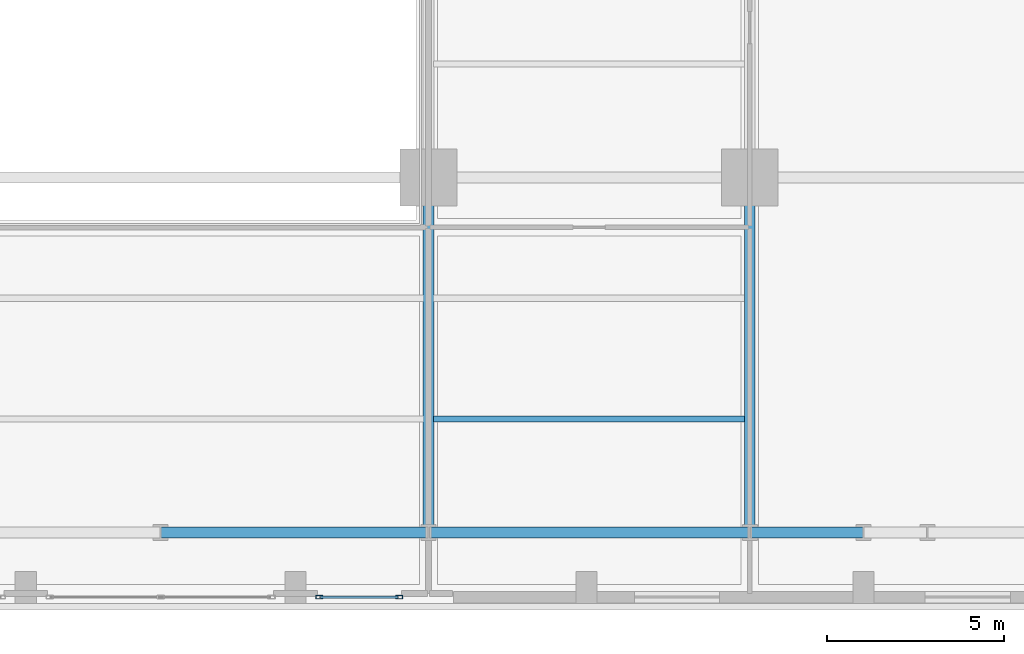
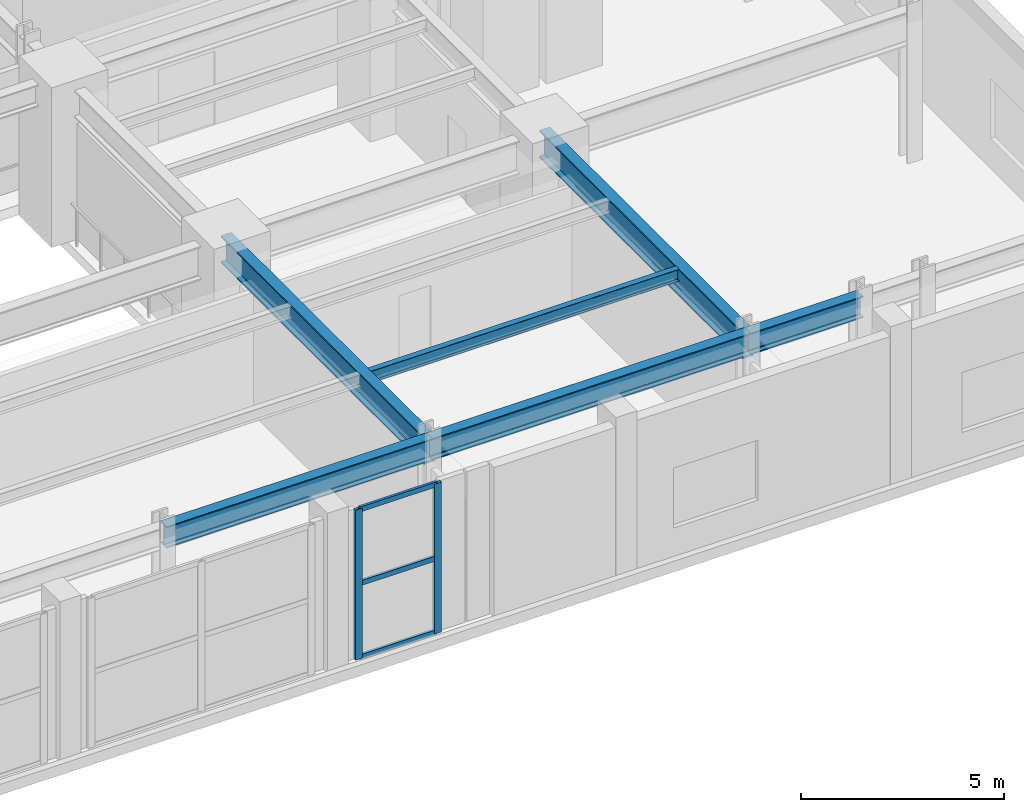
# One storey, part 4 of 16: 6 beams, 5 members, 1 element without a shape of its own.
"""IFC4 building model written with IfcOpenShell, lengths in metres."""

import ifcopenshell
import ifcopenshell.guid

model = None  # the IFC model being written
_history = None  # IfcOwnerHistory: only IFC2X3 demands one
_inside = {}  # id of a spatial element -> (the spatial element, [elements in it])
_under = {}  # id of a project, library or spatial element -> (it, [spatial elements below it])
_declared = {}  # id of a project -> (the project, [libraries it declares])
_typed = {}  # id of a type object -> (the type object, [elements of that type])
_made_of = {}  # id of a material, layer set ... -> (it, [elements and type objects made of it])


def new_model(schema):
    """Start an empty IFC model of exactly this schema.

    Asked for "IFC4X3", IfcOpenShell would pick the latest addendum, in which some entities
    have other attributes; the version numbers below select the first issue.
    IFC2X3 requires an IfcOwnerHistory on every rooted entity: one is made here for all.
    """
    global model, _history
    if schema == "IFC4X3":
        model = ifcopenshell.file(schema_version=(4, 3, 0, 0))
    else:
        model = ifcopenshell.file(schema=schema)
    _inside.clear()
    _under.clear()
    _declared.clear()
    _typed.clear()
    _made_of.clear()
    _history = None
    if model.schema == "IFC2X3":
        org = make("IfcOrganization", Name="unknown")
        user = make(
            "IfcPersonAndOrganization",
            ThePerson=make("IfcPerson", FamilyName="unknown"),
            TheOrganization=org,
        )
        app = make(
            "IfcApplication",
            ApplicationDeveloper=org,
            Version="unknown",
            ApplicationFullName="unknown",
            ApplicationIdentifier="unknown",
        )
        _history = make(
            "IfcOwnerHistory",
            OwningUser=user,
            OwningApplication=app,
            ChangeAction="ADDED",
            CreationDate=0,
        )
    return model


def make(cls, **values):
    """One entity of the class cls with the attributes given. An attribute that is None is left unset."""
    return model.create_entity(
        cls, **{name: value for name, value in values.items() if value is not None}
    )


def rooted(cls, **values):
    """An entity with a GlobalId (a new one), such as an element, a storey or a relation."""
    return make(cls, GlobalId=ifcopenshell.guid.new(), OwnerHistory=_history, **values)


def si_unit(unit_type, name, prefix=None):
    """IfcSIUnit, for example si_unit("LENGTHUNIT", "METRE", prefix="MILLI")."""
    return make("IfcSIUnit", UnitType=unit_type, Prefix=prefix, Name=name)


def assignment(units):
    """IfcUnitAssignment: the units of a project."""
    return None if units is None else make("IfcUnitAssignment", Units=units)


def point(xyz):
    """IfcCartesianPoint."""
    return None if xyz is None else make("IfcCartesianPoint", Coordinates=xyz)


def direction(xyz):
    """IfcDirection."""
    return None if xyz is None else make("IfcDirection", DirectionRatios=xyz)


def frame(location, z_axis=None, x_axis=None):
    """IfcAxis2Placement3D, a coordinate frame: its origin and axes. An axis left out is left unset."""
    return make(
        "IfcAxis2Placement3D",
        Location=point(location),
        Axis=direction(z_axis),
        RefDirection=direction(x_axis),
    )


def frame_2d(location, x_axis=None):
    """IfcAxis2Placement2D, a coordinate frame in the plane: its origin and x axis."""
    return make(
        "IfcAxis2Placement2D", Location=point(location), RefDirection=direction(x_axis)
    )


def origin():
    """The frame at (0, 0, 0) with its axes left unset."""
    return frame((0.0, 0.0, 0.0))


def origin_2d():
    """The frame at (0, 0) in the plane with its x axis left unset."""
    return frame_2d((0.0, 0.0))


def place(relative_to, where):
    """IfcLocalPlacement: puts the frame where relative to a parent placement (None: the world)."""
    return make(
        "IfcLocalPlacement", PlacementRelTo=relative_to, RelativePlacement=where
    )


def context(
    kind, dimensions, precision=None, world=None, true_north=None, identifier=None
):
    """IfcGeometricRepresentationContext, for example the 3D "Model" context."""
    return make(
        "IfcGeometricRepresentationContext",
        ContextIdentifier=identifier,
        ContextType=kind,
        CoordinateSpaceDimension=dimensions,
        Precision=precision,
        WorldCoordinateSystem=world,
        TrueNorth=true_north,
    )


def subcontext(parent, identifier, kind, view, scale=None):
    """IfcGeometricRepresentationSubContext, for example "Body" below "Model"."""
    return make(
        "IfcGeometricRepresentationSubContext",
        ContextIdentifier=identifier,
        ContextType=kind,
        ParentContext=parent,
        TargetScale=scale,
        TargetView=view,
    )


def project(units=None, contexts=None):
    """IfcProject with its units and contexts."""
    return rooted(
        "IfcProject",
        Name="project",
        RepresentationContexts=contexts,
        UnitsInContext=assignment(units),
    )


def spatial(cls, under=None, at=None, **own):
    """A site, building, storey or space (cls), placed at a placement, below another one or the project."""
    s = rooted(cls, ObjectPlacement=at, **own)
    if under is not None:
        _under.setdefault(under.id(), (under, []))[1].append(s)
    return s


def profile(cls, at=None, kind="AREA", **sizes):
    """A parametric profile (cls). Its sizes go by their IFC names, for example OverallWidth=200.0."""
    return make(cls, ProfileType=kind, Position=at, **sizes)


def hollow_rectangle(**sizes):
    """IfcRectangleHollowProfileDef."""
    return profile("IfcRectangleHollowProfileDef", **sizes)


def i_section(**sizes):
    """IfcIShapeProfileDef."""
    return profile("IfcIShapeProfileDef", **sizes)


def extrude(swept, where, along, depth):
    """IfcExtrudedAreaSolid: the profile swept, set in the frame where, extruded along a direction by depth."""
    return make(
        "IfcExtrudedAreaSolid",
        SweptArea=swept,
        Position=where,
        ExtrudedDirection=direction(along),
        Depth=depth,
    )


def shape(context_of_items, identifier, shape_type, items):
    """IfcShapeRepresentation: the items that make up one representation, for example the "Body"."""
    return make(
        "IfcShapeRepresentation",
        ContextOfItems=context_of_items,
        RepresentationIdentifier=identifier,
        RepresentationType=shape_type,
        Items=items,
    )


def material(Name=None, Category=None):
    """IfcMaterial."""
    return make("IfcMaterial", Name=Name, Category=Category)


def layer(
    of_material, thickness, ventilated=None, Name=None, Category=None, Priority=None
):
    """IfcMaterialLayer: one layer of a wall or slab, of a material (None: an air gap)."""
    return make(
        "IfcMaterialLayer",
        Material=of_material,
        LayerThickness=thickness,
        IsVentilated=ventilated,
        Name=Name,
        Category=Category,
        Priority=Priority,
    )


def layer_set(layers, Name=None):
    """IfcMaterialLayerSet."""
    return make("IfcMaterialLayerSet", MaterialLayers=layers, LayerSetName=Name)


def material_profile(
    of_material, cross_section, Name=None, Category=None, Priority=None
):
    """IfcMaterialProfile: a cross section and its material."""
    return make(
        "IfcMaterialProfile",
        Name=Name,
        Material=of_material,
        Profile=cross_section,
        Priority=Priority,
        Category=Category,
    )


def profile_set(profiles, Name=None, composite=None):
    """IfcMaterialProfileSet."""
    return make(
        "IfcMaterialProfileSet",
        Name=Name,
        MaterialProfiles=profiles,
        CompositeProfile=composite,
    )


def made_of(thing, what):
    """Note that an element or type object is made of a material, layer set ...; save() writes the relation."""
    if what is not None:
        _made_of.setdefault(what.id(), (what, []))[1].append(thing)
    return thing


def type_object(cls, material=None, **own):
    """A type object (cls), such as IfcWallType, which elements share."""
    return made_of(rooted(cls, **own), material)


def element(
    cls,
    number,
    at=None,
    inside=None,
    cuts=None,
    type_object=None,
    material=None,
    context=None,
    identifier="Body",
    shape_type=None,
    held_by="IfcProductDefinitionShape",
    body=None,
    shapes=None,
    **own,
):
    """One element of the class cls, such as IfcWall. Its Tag is "e" and its number.

    at: its placement. inside: the storey or other place that contains it. cuts: it is an
    opening in that element (IfcRelVoidsElement). A single representation is given by context,
    identifier, shape_type and body (its items); several are given by shapes. held_by: the class
    of the entity that holds the representations. save() writes the other relations.
    """
    e = rooted(cls, Tag="e%d" % number, ObjectPlacement=at, **own)
    if body is not None:
        shapes = [shape(context, identifier, shape_type, body)]
    if shapes is not None:
        e.Representation = make(held_by, Representations=shapes)
    if inside is not None:
        _inside.setdefault(inside.id(), (inside, []))[1].append(e)
    if cuts is not None:
        rooted(
            "IfcRelVoidsElement", RelatingBuildingElement=cuts, RelatedOpeningElement=e
        )
    if type_object is not None:
        _typed.setdefault(type_object.id(), (type_object, []))[1].append(e)
    return made_of(e, material)


def aggregate(whole, parts):
    """IfcRelAggregates: a whole, such as a stair, and the parts it consists of."""
    return rooted("IfcRelAggregates", RelatingObject=whole, RelatedObjects=parts)


def save(model, path):
    """Write the relations noted so far, then the file.

    IfcRelAggregates (storeys below a building ...), IfcRelContainedInSpatialStructure (elements
    in a storey), IfcRelDefinesByType, IfcRelAssociatesMaterial and IfcRelDeclares: one each for
    every whole, place, type object, material and project.
    """
    for whole, parts in _under.values():
        aggregate(whole, parts)
    for where, things in _inside.values():
        rooted(
            "IfcRelContainedInSpatialStructure",
            RelatedElements=things,
            RelatingStructure=where,
        )
    for kind, things in _typed.values():
        rooted("IfcRelDefinesByType", RelatedObjects=things, RelatingType=kind)
    for what, things in _made_of.values():
        rooted("IfcRelAssociatesMaterial", RelatedObjects=things, RelatingMaterial=what)
    for by, libraries in _declared.values():
        rooted("IfcRelDeclares", RelatingContext=by, RelatedDefinitions=libraries)
    model.write(path)


model = new_model("IFC4")

# Units and contexts
model_context = context("Model", 3, precision=1e-05, world=origin(), true_north=direction((0.0, 1.0)))
body_context = subcontext(model_context, "Body", "Model", "MODEL_VIEW")
ifc_project = project(units=[si_unit("LENGTHUNIT", "METRE"), si_unit("AREAUNIT", "SQUARE_METRE"), si_unit("VOLUMEUNIT", "CUBIC_METRE"), si_unit("PLANEANGLEUNIT", "RADIAN"), si_unit("MASSUNIT", "GRAM", prefix="KILO")], contexts=[model_context])

# Site, building, storey
site_placement = place(None, origin())
site = spatial("IfcSite", under=ifc_project, at=site_placement, CompositionType="ELEMENT")
building_placement = place(site_placement, origin())
building = spatial("IfcBuilding", under=site, at=building_placement, Name="Zarnavel Station Tower", CompositionType="ELEMENT")
storey_placement = place(building_placement, frame((0.0, 0.0, 19.39990234375)))
storey = spatial("IfcBuildingStorey", under=building, at=storey_placement, Name="L05", CompositionType="ELEMENT", Elevation=19.39990234375)

# Curtain wall, members
ifc_material_1 = material(Name="Aluminium Dark Anodised and Solar-Control Glass", Category="aluminium")
ifc_layer = layer(ifc_material_1, 0.179931640625)
ifc_layer_set = layer_set([ifc_layer], Name="CWS1")
curtain_wall_type = type_object("IfcCurtainWallType", Name="CWS1", PredefinedType="NOTDEFINED", material=ifc_layer_set)
curtain_wall_placement = place(storey_placement, origin())
curtain_wall = element("IfcCurtainWall", 1, at=curtain_wall_placement, inside=storey, type_object=curtain_wall_type, Name="L05 Curtain Wall CWS1-L05-S-S3", PredefinedType="NOTDEFINED")
ifc_material_2 = material(Name="Steel S355J2 (Black Fluoropolymer Coated)", Category="steel")
ifc_material_profile_1 = material_profile(ifc_material_2, hollow_rectangle(XDim=0.10009765625, YDim=0.199951171875, WallThickness=0.008056640625, at=origin_2d()), Name="RHS200x100x8")
ifc_profile_set_1 = profile_set([ifc_material_profile_1], Name="Steel S355J2 (Black Fluoropolymer Coated)")
member_type_1 = type_object("IfcMemberType", Name="CWS1_MUL", PredefinedType="MULLION", material=ifc_profile_set_1)
member_1_placement = place(storey_placement, frame((33.27392578125, 3.780029296875, 0.0), z_axis=(0.0, 0.0, 1.0), x_axis=(0.0, 1.0, 0.0)))
member_1 = element("IfcMember", 2, at=member_1_placement, type_object=member_type_1, Name="CW1 mullion 1", PredefinedType="MULLION", context=body_context, shape_type="SweptSolid", body=[
    extrude(hollow_rectangle(XDim=0.10009765625, YDim=0.199951171875, WallThickness=0.008056640625, at=origin_2d()), origin(), (0.0, 0.0, 1.0), 4.5),
])
member_2_placement = place(storey_placement, frame((35.52001953125, 3.780029296875, 0.0), z_axis=(0.0, 0.0, 1.0), x_axis=(0.0, 1.0, 0.0)))
member_2 = element("IfcMember", 3, at=member_2_placement, type_object=member_type_1, Name="CW1 mullion 2", PredefinedType="MULLION", context=body_context, shape_type="SweptSolid", body=[
    extrude(hollow_rectangle(XDim=0.10009765625, YDim=0.199951171875, WallThickness=0.008056640625, at=origin_2d()), origin(), (0.0, 0.0, 1.0), 4.5),
])
ifc_material_3 = material(Name="Steel S355J2 (Black Fluoropolymer Coated)", Category="steel")
ifc_material_profile_2 = material_profile(ifc_material_3, hollow_rectangle(XDim=0.074951171875, YDim=0.14990234375, WallThickness=0.00634765625, at=origin_2d()), Name="RHS150x75x6.3")
ifc_profile_set_2 = profile_set([ifc_material_profile_2], Name="Steel S355J2 (Black Fluoropolymer Coated)")
member_type_2 = type_object("IfcMemberType", Name="CWS1_TRN", PredefinedType="USERDEFINED", material=ifc_profile_set_2)
member_3_placement = place(storey_placement, frame((33.303955078125, 3.780029296875, 0.030029296875), z_axis=(1.0, 0.0, 0.0), x_axis=(0.0, 1.0, 0.0)))
member_3 = element("IfcMember", 4, at=member_3_placement, type_object=member_type_2, Name="CW1 transom 1.1", ObjectType="TRANSOM", PredefinedType="USERDEFINED", context=body_context, shape_type="SweptSolid", body=[
    extrude(hollow_rectangle(XDim=0.074951171875, YDim=0.14990234375, WallThickness=0.00634765625, at=origin_2d()), origin(), (0.0, 0.0, 1.0), 2.18603515625),
])
member_4_placement = place(storey_placement, frame((33.303955078125, 3.780029296875, 2.25), z_axis=(1.0, 0.0, 0.0), x_axis=(0.0, 1.0, 0.0)))
member_4 = element("IfcMember", 5, at=member_4_placement, type_object=member_type_2, Name="CW1 transom 1.2", ObjectType="TRANSOM", PredefinedType="USERDEFINED", context=body_context, shape_type="SweptSolid", body=[
    extrude(hollow_rectangle(XDim=0.074951171875, YDim=0.14990234375, WallThickness=0.00634765625, at=origin_2d()), origin(), (0.0, 0.0, 1.0), 2.18603515625),
])
member_5_placement = place(storey_placement, frame((33.303955078125, 3.780029296875, 4.47021484375), z_axis=(1.0, 0.0, 0.0), x_axis=(0.0, 1.0, 0.0)))
member_5 = element("IfcMember", 6, at=member_5_placement, type_object=member_type_2, Name="CW1 transom 1.3", ObjectType="TRANSOM", PredefinedType="USERDEFINED", context=body_context, shape_type="SweptSolid", body=[
    extrude(hollow_rectangle(XDim=0.074951171875, YDim=0.14990234375, WallThickness=0.00634765625, at=origin_2d()), origin(), (0.0, 0.0, 1.0), 2.18603515625),
])
aggregate(curtain_wall, [member_1, member_2, member_3, member_4, member_5])

# Beams
ifc_material_4 = material(Name="Steel S355J2", Category="steel")
ifc_material_profile_3 = material_profile(ifc_material_4, i_section(OverallWidth=0.300048828125, OverallDepth=0.64990234375, WebThickness=0.01611328125, FlangeThickness=0.031005859375, FilletRadius=0.027099609375, at=origin_2d()), Name="HEB650")
ifc_profile_set_3 = profile_set([ifc_material_profile_3], Name="Steel S355J2")
beam_type_1 = type_object("IfcBeamType", Name="FG_HEB650", PredefinedType="USERDEFINED", material=ifc_profile_set_3)
beam_1_placement = place(storey_placement, frame((28.800048828125, 5.60009765625, 4.175048828125), z_axis=(1.0, 0.0, 0.0), x_axis=(0.0, 1.0, 0.0)))
element("IfcBeam", 7, at=beam_1_placement, inside=storey, type_object=beam_type_1, Name="L05 EW Frame Girder 1-6", ObjectType="GIRDER", PredefinedType="USERDEFINED", context=body_context, shape_type="SweptSolid", body=[
    extrude(i_section(OverallWidth=0.300048828125, OverallDepth=0.64990234375, WebThickness=0.01611328125, FlangeThickness=0.031005859375, FilletRadius=0.027099609375, at=origin_2d()), origin(), (0.0, 0.0, 1.0), 7.550048828125),
])
beam_2_placement = place(storey_placement, frame((36.35009765625, 5.60009765625, 4.175048828125), z_axis=(1.0, 0.0, 0.0), x_axis=(0.0, 1.0, 0.0)))
element("IfcBeam", 8, at=beam_2_placement, inside=storey, type_object=beam_type_1, Name="L05 EW Frame Girder 1-7", ObjectType="GIRDER", PredefinedType="USERDEFINED", context=body_context, shape_type="SweptSolid", body=[
    extrude(i_section(OverallWidth=0.300048828125, OverallDepth=0.64990234375, WebThickness=0.01611328125, FlangeThickness=0.031005859375, FilletRadius=0.027099609375, at=origin_2d()), origin(), (0.0, 0.0, 1.0), 9.0498046875),
])
beam_3_placement = place(storey_placement, frame((45.39990234375, 5.60009765625, 4.175048828125), z_axis=(1.0, 0.0, 0.0), x_axis=(0.0, 1.0, 0.0)))
element("IfcBeam", 9, at=beam_3_placement, inside=storey, type_object=beam_type_1, Name="L05 EW Frame Girder 1-8", ObjectType="GIRDER", PredefinedType="USERDEFINED", context=body_context, shape_type="SweptSolid", body=[
    extrude(i_section(OverallWidth=0.300048828125, OverallDepth=0.64990234375, WebThickness=0.01611328125, FlangeThickness=0.031005859375, FilletRadius=0.027099609375, at=origin_2d()), origin(), (0.0, 0.0, 1.0), 3.2001953125),
])
ifc_material_5 = material(Name="Steel S460M", Category="steel")
ifc_material_profile_4 = material_profile(ifc_material_5, i_section(OverallWidth=0.302978515625, OverallDepth=0.81396484375, WebThickness=0.02099609375, FlangeThickness=0.0400390625, FilletRadius=0.030029296875, at=origin_2d()), Name="HEM800")
ifc_profile_set_4 = profile_set([ifc_material_profile_4], Name="Steel S460M")
beam_type_2 = type_object("IfcBeamType", Name="FG_HEM800", PredefinedType="USERDEFINED", material=ifc_profile_set_4)
for number, where, z_axis, x_axis, name in (
    (10, (36.35009765625, 5.60009765625, 4.093017578125), (0.0, 1.0, 0.0), (-1.0, 0.0, 0.0), "L05 NS Girder South 3"),
    (11, (45.39990234375, 5.60009765625, 4.093017578125), (0.0, 1.0, 0.0), (-1.0, 0.0, 0.0), "L05 NS Girder South 4"),
):
    element("IfcBeam", number, at=place(storey_placement, frame(where, z_axis=z_axis, x_axis=x_axis)), inside=storey, type_object=beam_type_2, Name=name, ObjectType="GIRDER", PredefinedType="USERDEFINED", context=body_context, shape_type="SweptSolid", body=[
        extrude(i_section(OverallWidth=0.302978515625, OverallDepth=0.81396484375, WebThickness=0.02099609375, FlangeThickness=0.0400390625, FilletRadius=0.030029296875, at=origin_2d()), origin(), (0.0, 0.0, 1.0), 10.0),
    ])
ifc_material_6 = material(Name="Steel S355J2", Category="steel")
ifc_material_profile_5 = material_profile(ifc_material_6, i_section(OverallWidth=0.169921875, OverallDepth=0.360107421875, WebThickness=0.008056640625, FlangeThickness=0.0126953125, FilletRadius=0.01806640625, at=origin_2d()), Name="IPE360")
ifc_profile_set_5 = profile_set([ifc_material_profile_5], Name="Steel S355J2")
beam_type_3 = type_object("IfcBeamType", Name="FJ_IPE360", PredefinedType="JOIST", material=ifc_profile_set_5)
beam_4_placement = place(storey_placement, frame((36.4951171875, 8.800048828125, 4.320068359375), z_axis=(1.0, 0.0, 0.0), x_axis=(0.0, 1.0, 0.0)))
element("IfcBeam", 12, at=beam_4_placement, inside=storey, type_object=beam_type_3, Name="L05 Floor Joist E1", PredefinedType="JOIST", context=body_context, shape_type="SweptSolid", body=[
    extrude(i_section(OverallWidth=0.169921875, OverallDepth=0.360107421875, WebThickness=0.008056640625, FlangeThickness=0.0126953125, FilletRadius=0.01806640625, at=origin_2d()), origin(), (0.0, 0.0, 1.0), 8.759765625),
])

save(model, "model.ifc")
